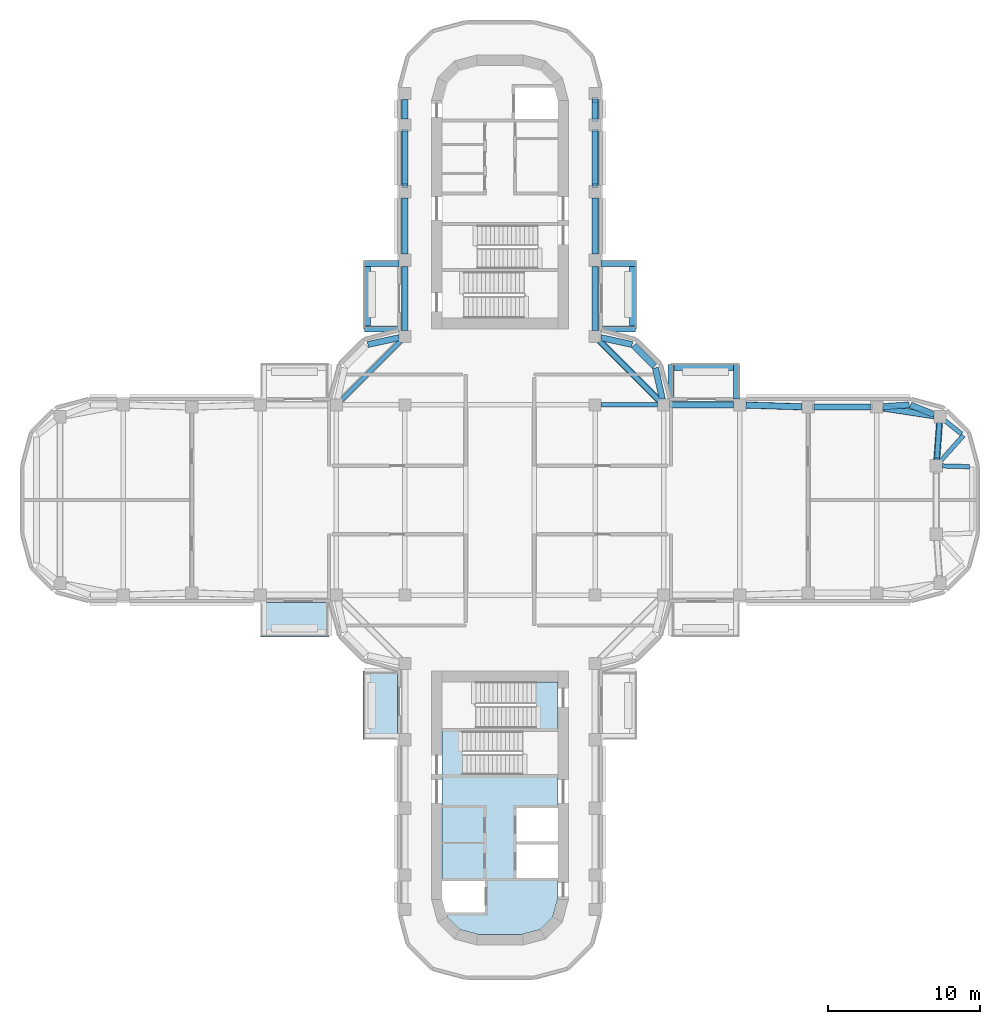
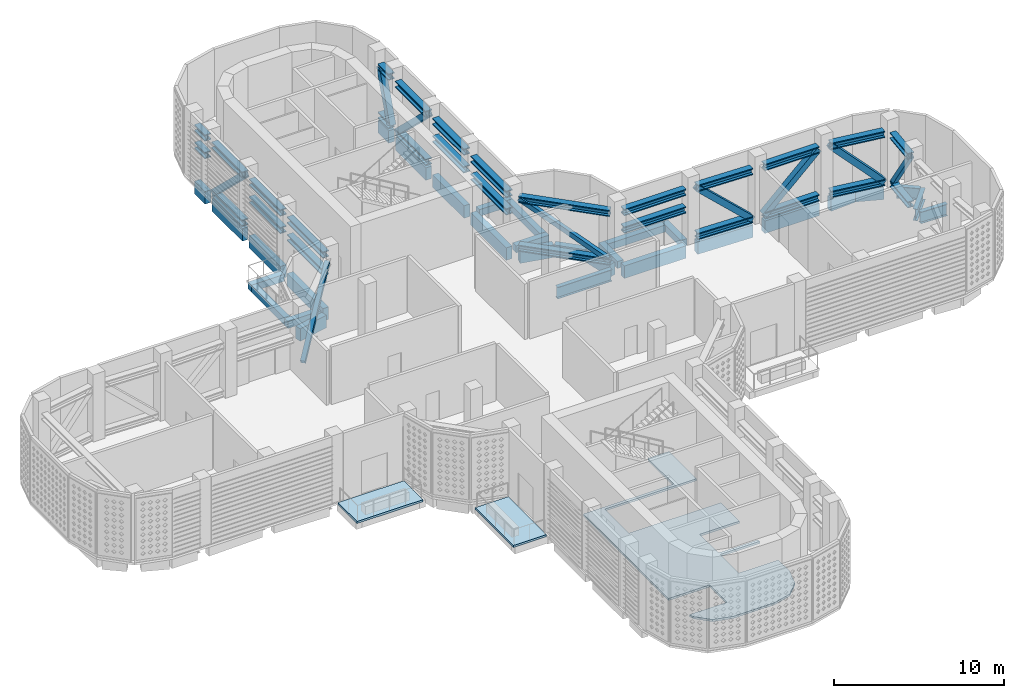
# One storey, part 3 of 21: 37 members, 30 beams, 3 slabs.
"""IFC4 building model written with IfcOpenShell, lengths in metres."""

from ifc_helpers import new_model, si_unit, direction, frame, origin, origin_2d, place, context, subcontext, project, spatial, polyline, rectangle, hollow_rectangle, i_section, outline, extrude, material, layer, layer_set, material_profile, profile_set, type_object, element, save


model = new_model("IFC4")

# Units and contexts
model_context = context("Model", 3, precision=1e-05, world=origin(), true_north=direction((0.0, 1.0)))
body_context = subcontext(model_context, "Body", "Model", "MODEL_VIEW")
ifc_project = project(units=[si_unit("LENGTHUNIT", "METRE"), si_unit("AREAUNIT", "SQUARE_METRE"), si_unit("VOLUMEUNIT", "CUBIC_METRE"), si_unit("PLANEANGLEUNIT", "RADIAN"), si_unit("MASSUNIT", "GRAM", prefix="KILO")], contexts=[model_context])

# Site, building, storey
site_placement = place(None, origin())
site = spatial("IfcSite", under=ifc_project, at=site_placement, CompositionType="ELEMENT")
building_placement = place(site_placement, origin())
building = spatial("IfcBuilding", under=site, at=building_placement, Name="Zarbagh Exchange Tower", CompositionType="ELEMENT")
storey_placement = place(building_placement, frame((0.0, 0.0, 190.39990234375)))
storey = spatial("IfcBuildingStorey", under=building, at=storey_placement, Name="L46", CompositionType="ELEMENT", Elevation=190.39990234375)

# Members
ifc_material_1 = material(Name="Steel ASTM A992 Gr 50", Category="steel")
ifc_material_profile_1 = material_profile(ifc_material_1, i_section(OverallWidth=0.41650390625, OverallDepth=0.444580078125, WebThickness=0.0390625, FlangeThickness=0.062744140625, at=origin_2d()), Name="W14X342")
ifc_profile_set_1 = profile_set([ifc_material_profile_1], Name="Steel ASTM A992 Gr 50")
member_type_1 = type_object("IfcMemberType", Name="Belt truss chord W14X342", PredefinedType="CHORD", material=ifc_profile_set_1)
for number, where, z_axis, x_axis, name in (
    (1, (6.53271484375, 10.46728515625, 0.222412109375), (0.707106781187, -0.707106781187, 0.0), (0.707106781187, 0.707106781187, 0.0), "Belt truss chord"),
    (2, (6.53271484375, 10.46728515625, 3.7080078125), (0.707106781187, -0.707106781187, 0.0), (0.707106781187, 0.707106781187, 0.0), "Belt truss chord"),
):
    element("IfcMember", number, at=place(storey_placement, frame(where, z_axis=z_axis, x_axis=x_axis)), inside=storey, type_object=member_type_1, Name=name, PredefinedType="CHORD", context=body_context, shape_type="SweptSolid", body=[
        extrude(i_section(OverallWidth=0.41650390625, OverallDepth=0.444580078125, WebThickness=0.0390625, FlangeThickness=0.062744140625, at=origin_2d()), origin(), (0.0, 0.0, 1.0), 5.564208984375),
    ])
for number, where, z_axis, x_axis, name in (
    (3, (28.878662109375, 5.076171875, 0.222412109375), (-0.073627818238, -0.997285788719, 0.0), (0.997285788719, -0.073627818238, 0.0), "Belt truss chord"),
    (4, (28.878662109375, 5.076171875, 3.7080078125), (-0.073627818238, -0.997285788719, 0.0), (0.997285788719, -0.073627818238, 0.0), "Belt truss chord"),
):
    element("IfcMember", number, at=place(storey_placement, frame(where, z_axis=z_axis, x_axis=x_axis)), inside=storey, type_object=member_type_1, Name=name, PredefinedType="CHORD", context=body_context, shape_type="SweptSolid", body=[
        extrude(i_section(OverallWidth=0.41650390625, OverallDepth=0.444580078125, WebThickness=0.0390625, FlangeThickness=0.062744140625, at=origin_2d()), origin(), (0.0, 0.0, 1.0), 2.433837890625),
    ])
ifc_material_2 = material(Name="Steel ASTM A500 Gr C", Category="steel")
ifc_material_profile_2 = material_profile(ifc_material_2, hollow_rectangle(XDim=0.3046875, YDim=0.3046875, WallThickness=0.014892578125, at=origin_2d()), Name="HSS12X12X5/8")
ifc_profile_set_2 = profile_set([ifc_material_profile_2], Name="Steel ASTM A500 Gr C")
member_type_2 = type_object("IfcMemberType", Name="Belt truss diagonal HSS12X12X5/8", PredefinedType="BRACE", material=ifc_profile_set_2)
for number, where, z_axis, x_axis, name in (
    (5, (-10.46728515625, 6.53271484375, 0.222412109375), (0.599242955727, 0.599242955727, 0.530863221576), (-0.707106781187, 0.707106781187, 0.0), "Belt truss diagonal"),
    (6, (10.46728515625, 6.53271484375, 0.222412109375), (-0.599242955727, 0.599242955727, 0.530863221576), (-0.707106781187, -0.707106781187, 0.0), "Belt truss diagonal"),
):
    element("IfcMember", number, at=place(storey_placement, frame(where, z_axis=z_axis, x_axis=x_axis)), inside=storey, type_object=member_type_2, Name=name, PredefinedType="BRACE", context=body_context, shape_type="SweptSolid", body=[
        extrude(hollow_rectangle(XDim=0.3046875, YDim=0.3046875, WallThickness=0.014892578125, at=origin_2d()), origin(), (0.0, 0.0, 1.0), 6.56591796875),
    ])
member_1_placement = place(storey_placement, frame((28.878662109375, 5.076171875, 0.222412109375), z_axis=(-0.042152256381, -0.57095058984, 0.819901586316), x_axis=(0.997285788719, -0.073627818238, 0.0)))
element("IfcMember", 7, at=member_1_placement, inside=storey, type_object=member_type_2, Name="Belt truss diagonal", PredefinedType="BRACE", context=body_context, shape_type="SweptSolid", body=[
    extrude(hollow_rectangle(XDim=0.3046875, YDim=0.3046875, WallThickness=0.014892578125, at=origin_2d()), origin(), (0.0, 0.0, 1.0), 4.251220703125),
])

# Beams
ifc_material_profile_3 = material_profile(ifc_material_1, i_section(OverallWidth=0.2919921875, OverallDepth=0.835693359375, WebThickness=0.013916015625, FlangeThickness=0.018798828125, at=origin_2d()), Name="W33X118")
ifc_profile_set_3 = profile_set([ifc_material_profile_3], Name="Steel ASTM A992 Gr 50")
beam_type_1 = type_object("IfcBeamType", Name="Floor girder W33X118", PredefinedType="BEAM", material=ifc_profile_set_3)
beam_1_placement = place(storey_placement, frame((29.22021484375, 5.22509765625, -0.567626953125), z_axis=(0.780533236132, -0.625114283387, 0.0), x_axis=(0.625114283387, 0.780533236132, 0.0)))
element("IfcBeam", 8, at=beam_1_placement, inside=storey, type_object=beam_type_1, Name="Steel girder", PredefinedType="BEAM", context=body_context, shape_type="SweptSolid", body=[
    extrude(i_section(OverallWidth=0.2919921875, OverallDepth=0.835693359375, WebThickness=0.013916015625, FlangeThickness=0.018798828125, at=origin_2d()), origin(), (0.0, 0.0, 1.0), 1.420166015625),
])
beam_2_placement = place(storey_placement, frame((30.44873046875, 4.2412109375, -0.567626953125), z_axis=(-0.666191013206, -0.745781156857, 0.0), x_axis=(0.745781156857, -0.666191013206, 0.0)))
element("IfcBeam", 9, at=beam_2_placement, inside=storey, type_object=beam_type_1, Name="Steel girder", PredefinedType="BEAM", context=body_context, shape_type="SweptSolid", body=[
    extrude(i_section(OverallWidth=0.2919921875, OverallDepth=0.835693359375, WebThickness=0.013916015625, FlangeThickness=0.018798828125, at=origin_2d()), origin(), (0.0, 0.0, 1.0), 2.27001953125),
])
beam_3_placement = place(storey_placement, frame((29.06982421875, 2.23876953125, -0.567626953125), z_axis=(0.999600942558, -0.028248108547, 0.0), x_axis=(0.028248108547, 0.999600942558, 0.0)))
element("IfcBeam", 10, at=beam_3_placement, inside=storey, type_object=beam_type_1, Name="Steel girder", PredefinedType="BEAM", context=body_context, shape_type="SweptSolid", body=[
    extrude(i_section(OverallWidth=0.2919921875, OverallDepth=0.835693359375, WebThickness=0.013916015625, FlangeThickness=0.018798828125, at=origin_2d()), origin(), (0.0, 0.0, 1.0), 1.7890625),
])
beam_4_placement = place(storey_placement, frame((6.64990234375, 6.25, -0.567626953125), z_axis=(1.0, 0.0, 0.0), x_axis=(0.0, 1.0, 0.0)))
element("IfcBeam", 11, at=beam_4_placement, inside=storey, type_object=beam_type_1, Name="Steel girder", PredefinedType="BEAM", context=body_context, shape_type="SweptSolid", body=[
    extrude(i_section(OverallWidth=0.2919921875, OverallDepth=0.835693359375, WebThickness=0.013916015625, FlangeThickness=0.018798828125, at=origin_2d()), origin(), (0.0, 0.0, 1.0), 3.7001953125),
])

# Members
ifc_material_profile_4 = material_profile(ifc_material_1, i_section(OverallWidth=0.421630859375, OverallDepth=0.46484375, WebThickness=0.044921875, FlangeThickness=0.072509765625, at=origin_2d()), Name="W14X398")
ifc_profile_set_4 = profile_set([ifc_material_profile_4], Name="Steel ASTM A992 Gr 50")
member_type_3 = type_object("IfcMemberType", Name="Outrigger truss chord W14X398", PredefinedType="CHORD", material=ifc_profile_set_4)
for number, where, z_axis, x_axis, name in (
    (12, (-6.25, 11.14990234375, 2.4326171875), (0.0, 1.0, 0.0), (-1.0, 0.0, 0.0), "Outrigger truss chord"),
    (13, (-6.25, 11.14990234375, 3.69775390625), (0.0, 1.0, 0.0), (-1.0, 0.0, 0.0), "Outrigger truss chord"),
):
    element("IfcMember", number, at=place(storey_placement, frame(where, z_axis=z_axis, x_axis=x_axis)), inside=storey, type_object=member_type_3, Name=name, PredefinedType="CHORD", context=body_context, shape_type="SweptSolid", body=[
        extrude(i_section(OverallWidth=0.421630859375, OverallDepth=0.46484375, WebThickness=0.044921875, FlangeThickness=0.072509765625, at=origin_2d()), origin(), (0.0, 0.0, 1.0), 4.2001953125),
    ])
for number, where, z_axis, x_axis, name in (
    (14, (-6.25, 16.14990234375, 2.4326171875), (0.0, 1.0, 0.0), (-1.0, 0.0, 0.0), "Outrigger truss chord"),
    (15, (-6.25, 16.14990234375, 3.69775390625), (0.0, 1.0, 0.0), (-1.0, 0.0, 0.0), "Outrigger truss chord"),
):
    element("IfcMember", number, at=place(storey_placement, frame(where, z_axis=z_axis, x_axis=x_axis)), inside=storey, type_object=member_type_3, Name=name, PredefinedType="CHORD", context=body_context, shape_type="SweptSolid", body=[
        extrude(i_section(OverallWidth=0.421630859375, OverallDepth=0.46484375, WebThickness=0.044921875, FlangeThickness=0.072509765625, at=origin_2d()), origin(), (0.0, 0.0, 1.0), 3.7001953125),
    ])
for number, where, z_axis, x_axis, name in (
    (16, (-6.25, 20.64990234375, 0.232421875), (0.0, 1.0, 0.0), (-1.0, 0.0, 0.0), "Outrigger truss chord"),
    (17, (-6.25, 20.64990234375, 3.69775390625), (0.0, 1.0, 0.0), (-1.0, 0.0, 0.0), "Outrigger truss chord"),
):
    element("IfcMember", number, at=place(storey_placement, frame(where, z_axis=z_axis, x_axis=x_axis)), inside=storey, type_object=member_type_3, Name=name, PredefinedType="CHORD", context=body_context, shape_type="SweptSolid", body=[
        extrude(i_section(OverallWidth=0.421630859375, OverallDepth=0.46484375, WebThickness=0.044921875, FlangeThickness=0.072509765625, at=origin_2d()), origin(), (0.0, 0.0, 1.0), 3.60009765625),
    ])
for number, where, z_axis, x_axis, name in (
    (18, (-6.25, 25.050048828125, 2.4326171875), (0.0, 1.0, 0.0), (-1.0, 0.0, 0.0), "Outrigger truss chord"),
    (19, (-6.25, 25.050048828125, 3.69775390625), (0.0, 1.0, 0.0), (-1.0, 0.0, 0.0), "Outrigger truss chord"),
    (20, (6.25, 26.300048828125, 0.232421875), (0.0, -1.0, 0.0), (1.0, 0.0, 0.0), "Outrigger truss chord"),
    (21, (6.25, 26.300048828125, 3.69775390625), (0.0, -1.0, 0.0), (1.0, 0.0, 0.0), "Outrigger truss chord"),
):
    element("IfcMember", number, at=place(storey_placement, frame(where, z_axis=z_axis, x_axis=x_axis)), inside=storey, type_object=member_type_3, Name=name, PredefinedType="CHORD", context=body_context, shape_type="SweptSolid", body=[
        extrude(i_section(OverallWidth=0.421630859375, OverallDepth=0.46484375, WebThickness=0.044921875, FlangeThickness=0.072509765625, at=origin_2d()), origin(), (0.0, 0.0, 1.0), 1.25),
    ])
for number, where, z_axis, x_axis, name in (
    (22, (6.25, 24.25, 0.232421875), (0.0, -1.0, 0.0), (1.0, 0.0, 0.0), "Outrigger truss chord"),
    (23, (6.25, 24.25, 3.69775390625), (0.0, -1.0, 0.0), (1.0, 0.0, 0.0), "Outrigger truss chord"),
):
    element("IfcMember", number, at=place(storey_placement, frame(where, z_axis=z_axis, x_axis=x_axis)), inside=storey, type_object=member_type_3, Name=name, PredefinedType="CHORD", context=body_context, shape_type="SweptSolid", body=[
        extrude(i_section(OverallWidth=0.421630859375, OverallDepth=0.46484375, WebThickness=0.044921875, FlangeThickness=0.072509765625, at=origin_2d()), origin(), (0.0, 0.0, 1.0), 3.60009765625),
    ])
for number, where, z_axis, x_axis, name in (
    (24, (6.25, 19.85009765625, 2.4326171875), (0.0, -1.0, 0.0), (1.0, 0.0, 0.0), "Outrigger truss chord"),
    (25, (6.25, 19.85009765625, 3.69775390625), (0.0, -1.0, 0.0), (1.0, 0.0, 0.0), "Outrigger truss chord"),
):
    element("IfcMember", number, at=place(storey_placement, frame(where, z_axis=z_axis, x_axis=x_axis)), inside=storey, type_object=member_type_3, Name=name, PredefinedType="CHORD", context=body_context, shape_type="SweptSolid", body=[
        extrude(i_section(OverallWidth=0.421630859375, OverallDepth=0.46484375, WebThickness=0.044921875, FlangeThickness=0.072509765625, at=origin_2d()), origin(), (0.0, 0.0, 1.0), 3.7001953125),
    ])
for number, where, z_axis, x_axis, name in (
    (26, (6.25, 15.35009765625, 2.4326171875), (0.0, -1.0, 0.0), (1.0, 0.0, 0.0), "Outrigger truss chord"),
    (27, (6.25, 15.35009765625, 3.69775390625), (0.0, -1.0, 0.0), (1.0, 0.0, 0.0), "Outrigger truss chord"),
    (28, (11.14990234375, 6.25, 2.4326171875), (1.0, 0.0, 0.0), (0.0, 1.0, 0.0), "Outrigger truss chord"),
    (29, (11.14990234375, 6.25, 3.69775390625), (1.0, 0.0, 0.0), (0.0, 1.0, 0.0), "Outrigger truss chord"),
):
    element("IfcMember", number, at=place(storey_placement, frame(where, z_axis=z_axis, x_axis=x_axis)), inside=storey, type_object=member_type_3, Name=name, PredefinedType="CHORD", context=body_context, shape_type="SweptSolid", body=[
        extrude(i_section(OverallWidth=0.421630859375, OverallDepth=0.46484375, WebThickness=0.044921875, FlangeThickness=0.072509765625, at=origin_2d()), origin(), (0.0, 0.0, 1.0), 4.2001953125),
    ])
for number, where, z_axis, x_axis, name in (
    (30, (16.14990234375, 6.237548828125, 0.232421875), (0.999515416033, -0.031127690444, 0.0), (0.031127690444, 0.999515416033, 0.0), "Outrigger truss chord"),
    (31, (16.14990234375, 6.237548828125, 3.69775390625), (0.999515416033, -0.031127690444, 0.0), (0.031127690444, 0.999515416033, 0.0), "Outrigger truss chord"),
):
    element("IfcMember", number, at=place(storey_placement, frame(where, z_axis=z_axis, x_axis=x_axis)), inside=storey, type_object=member_type_3, Name=name, PredefinedType="CHORD", context=body_context, shape_type="SweptSolid", body=[
        extrude(i_section(OverallWidth=0.421630859375, OverallDepth=0.46484375, WebThickness=0.044921875, FlangeThickness=0.072509765625, at=origin_2d()), origin(), (0.0, 0.0, 1.0), 3.701904296875),
    ])
for number, where, z_axis, x_axis, name in (
    (32, (20.64990234375, 6.110107421875, 0.232421875), (1.0, 0.0, 0.0), (0.0, 1.0, 0.0), "Outrigger truss chord"),
    (33, (20.64990234375, 6.110107421875, 3.69775390625), (1.0, 0.0, 0.0), (0.0, 1.0, 0.0), "Outrigger truss chord"),
):
    element("IfcMember", number, at=place(storey_placement, frame(where, z_axis=z_axis, x_axis=x_axis)), inside=storey, type_object=member_type_3, Name=name, PredefinedType="CHORD", context=body_context, shape_type="SweptSolid", body=[
        extrude(i_section(OverallWidth=0.421630859375, OverallDepth=0.46484375, WebThickness=0.044921875, FlangeThickness=0.072509765625, at=origin_2d()), origin(), (0.0, 0.0, 1.0), 3.7001953125),
    ])
for number, where, z_axis, x_axis, name in (
    (34, (25.1455078125, 6.049560546875, 0.232421875), (0.988541769149, -0.150947575829, 0.0), (0.150947575829, 0.988541769149, 0.0), "Outrigger truss chord"),
    (35, (25.1455078125, 6.049560546875, 3.69775390625), (0.988541769149, -0.150947575829, 0.0), (0.150947575829, 0.988541769149, 0.0), "Outrigger truss chord"),
):
    element("IfcMember", number, at=place(storey_placement, frame(where, z_axis=z_axis, x_axis=x_axis)), inside=storey, type_object=member_type_3, Name=name, PredefinedType="CHORD", context=body_context, shape_type="SweptSolid", body=[
        extrude(i_section(OverallWidth=0.421630859375, OverallDepth=0.46484375, WebThickness=0.044921875, FlangeThickness=0.072509765625, at=origin_2d()), origin(), (0.0, 0.0, 1.0), 3.40625),
    ])
ifc_material_profile_5 = material_profile(ifc_material_2, hollow_rectangle(XDim=0.406494140625, YDim=0.406494140625, WallThickness=0.017578125, at=origin_2d()), Name="HSS16X16X3/4")
ifc_profile_set_5 = profile_set([ifc_material_profile_5], Name="Steel ASTM A500 Gr C")
member_type_4 = type_object("IfcMemberType", Name="Outrigger truss diagonal HSS16X16X3/4", PredefinedType="BRACE", material=ifc_profile_set_5)
member_2_placement = place(storey_placement, frame((-6.25, 24.25, 0.232421875), z_axis=(0.0, -0.720463051949, 0.693493324248), x_axis=(1.0, 0.0, 0.0)))
element("IfcMember", 36, at=member_2_placement, inside=storey, type_object=member_type_4, Name="Outrigger truss diagonal", PredefinedType="BRACE", context=body_context, shape_type="SweptSolid", body=[
    extrude(hollow_rectangle(XDim=0.406494140625, YDim=0.406494140625, WallThickness=0.017578125, at=origin_2d()), origin(), (0.0, 0.0, 1.0), 4.996826171875),
])
member_3_placement = place(storey_placement, frame((6.25, 25.050048828125, 0.232421875), z_axis=(0.0, 0.339315477806, 0.940672635151), x_axis=(-1.0, 0.0, 0.0)))
element("IfcMember", 37, at=member_3_placement, inside=storey, type_object=member_type_4, Name="Outrigger truss diagonal", PredefinedType="BRACE", context=body_context, shape_type="SweptSolid", body=[
    extrude(hollow_rectangle(XDim=0.406494140625, YDim=0.406494140625, WallThickness=0.017578125, at=origin_2d()), origin(), (0.0, 0.0, 1.0), 3.683837890625),
])
member_4_placement = place(storey_placement, frame((6.25, 24.25, 0.232421875), z_axis=(0.0, -0.720463051949, 0.693493324248), x_axis=(1.0, 0.0, 0.0)))
element("IfcMember", 38, at=member_4_placement, inside=storey, type_object=member_type_4, Name="Outrigger truss diagonal", PredefinedType="BRACE", context=body_context, shape_type="SweptSolid", body=[
    extrude(hollow_rectangle(XDim=0.406494140625, YDim=0.406494140625, WallThickness=0.017578125, at=origin_2d()), origin(), (0.0, 0.0, 1.0), 4.996826171875),
])
member_5_placement = place(storey_placement, frame((19.85009765625, 6.122314453125, 0.232421875), z_axis=(-0.72970304596, 0.022724982693, 0.683386449879), x_axis=(-0.031127690444, -0.999515416033, 0.0)))
element("IfcMember", 39, at=member_5_placement, inside=storey, type_object=member_type_4, Name="Outrigger truss diagonal", PredefinedType="BRACE", context=body_context, shape_type="SweptSolid", body=[
    extrude(hollow_rectangle(XDim=0.406494140625, YDim=0.406494140625, WallThickness=0.017578125, at=origin_2d()), origin(), (0.0, 0.0, 1.0), 5.07080078125),
])
member_6_placement = place(storey_placement, frame((20.64990234375, 6.110107421875, 0.232421875), z_axis=(0.729891537359, 0.0, 0.683562977122), x_axis=(0.0, 1.0, 0.0)))
element("IfcMember", 40, at=member_6_placement, inside=storey, type_object=member_type_4, Name="Outrigger truss diagonal", PredefinedType="BRACE", context=body_context, shape_type="SweptSolid", body=[
    extrude(hollow_rectangle(XDim=0.406494140625, YDim=0.406494140625, WallThickness=0.017578125, at=origin_2d()), origin(), (0.0, 0.0, 1.0), 5.069580078125),
])
member_7_placement = place(storey_placement, frame((28.5126953125, 5.535400390625, 0.232421875), z_axis=(-0.692965472325, 0.105813898254, 0.713163566864), x_axis=(-0.150947575829, -0.988541769149, 0.0)))
element("IfcMember", 41, at=member_7_placement, inside=storey, type_object=member_type_4, Name="Outrigger truss diagonal", PredefinedType="BRACE", context=body_context, shape_type="SweptSolid", body=[
    extrude(hollow_rectangle(XDim=0.406494140625, YDim=0.406494140625, WallThickness=0.017578125, at=origin_2d()), origin(), (0.0, 0.0, 1.0), 4.859130859375),
])

# Beams
ifc_material_3 = material(Name="Concrete C40/50", Category="concrete")
ifc_material_profile_6 = material_profile(ifc_material_3, rectangle(XDim=0.39990234375, YDim=0.5, at=origin_2d()), Name="RC bay edge beam 400 x 500 C40/50")
ifc_profile_set_6 = profile_set([ifc_material_profile_6], Name="Concrete C40/50")
beam_type_2 = type_object("IfcBeamType", Name="RC bay edge beam 400 x 500 C40/50", PredefinedType="BEAM", material=ifc_profile_set_6)
for number, where, z_axis, x_axis, name in (
    (42, (8.699951171875, 11.429931640625, -0.39990234375), (0.0, 1.0, 0.0), (-1.0, 0.0, 0.0), "RC bay edge beam"),
    (43, (11.429931640625, 8.699951171875, -0.39990234375), (1.0, 0.0, 0.0), (0.0, 1.0, 0.0), "RC bay edge beam"),
    (44, (-8.699951171875, 11.429931640625, -0.39990234375), (0.0, 1.0, 0.0), (-1.0, 0.0, 0.0), "RC bay edge beam"),
):
    element("IfcBeam", number, at=place(storey_placement, frame(where, z_axis=z_axis, x_axis=x_axis)), inside=storey, type_object=beam_type_2, Name=name, PredefinedType="BEAM", context=body_context, shape_type="SweptSolid", body=[
        extrude(rectangle(XDim=0.39990234375, YDim=0.5, at=origin_2d()), origin(), (0.0, 0.0, 1.0), 3.920166015625),
    ])
ifc_material_profile_7 = material_profile(ifc_material_3, rectangle(XDim=0.39990234375, YDim=0.5, at=origin_2d()), Name="RC cantilever beam 400 x 500 C40/50")
ifc_profile_set_7 = profile_set([ifc_material_profile_7], Name="Concrete C40/50")
beam_type_3 = type_object("IfcBeamType", Name="RC cantilever beam 400 x 500 C40/50", PredefinedType="BEAM", material=ifc_profile_set_7)
for number, where, z_axis, x_axis, name in (
    (45, (6.64990234375, 11.22998046875, -0.39990234375), (1.0, 0.0, 0.0), (0.0, 1.0, 0.0), "RC cantilever beam"),
    (46, (6.64990234375, 15.550048828125, -0.39990234375), (1.0, 0.0, 0.0), (0.0, 1.0, 0.0), "RC cantilever beam"),
    (47, (11.22998046875, 6.64990234375, -0.39990234375), (0.0, 1.0, 0.0), (-1.0, 0.0, 0.0), "RC cantilever beam"),
    (48, (15.550048828125, 6.64990234375, -0.39990234375), (0.0, 1.0, 0.0), (-1.0, 0.0, 0.0), "RC cantilever beam"),
    (49, (-6.64990234375, 11.22998046875, -0.39990234375), (-1.0, 0.0, 0.0), (0.0, -1.0, 0.0), "RC cantilever beam"),
    (50, (-6.64990234375, 15.550048828125, -0.39990234375), (-1.0, 0.0, 0.0), (0.0, -1.0, 0.0), "RC cantilever beam"),
):
    element("IfcBeam", number, at=place(storey_placement, frame(where, z_axis=z_axis, x_axis=x_axis)), inside=storey, type_object=beam_type_3, Name=name, PredefinedType="BEAM", context=body_context, shape_type="SweptSolid", body=[
        extrude(rectangle(XDim=0.39990234375, YDim=0.5, at=origin_2d()), origin(), (0.0, 0.0, 1.0), 2.25),
    ])
ifc_material_4 = material(Name="Concrete C50/60", Category="concrete")
ifc_material_profile_8 = material_profile(ifc_material_4, rectangle(XDim=0.39990234375, YDim=0.89990234375, at=origin_2d()), Name="RC spandrel beam 400 x 900 C50/60")
ifc_profile_set_8 = profile_set([ifc_material_profile_8], Name="Concrete C50/60")
beam_type_4 = type_object("IfcBeamType", Name="RC spandrel beam 400 x 900 C50/60", PredefinedType="SPANDREL", material=ifc_profile_set_8)
beam_5_placement = place(storey_placement, frame((-8.68408203125, 10.21142578125, -0.599853515625), z_axis=(0.976384278741, 0.216041061437, 0.0), x_axis=(-0.216041061437, 0.976384278741, 0.0)))
element("IfcBeam", 51, at=beam_5_placement, inside=storey, type_object=beam_type_4, Name="RC spandrel beam", PredefinedType="SPANDREL", context=body_context, shape_type="SweptSolid", body=[
    extrude(rectangle(XDim=0.39990234375, YDim=0.89990234375, at=origin_2d()), origin(), (0.0, 0.0, 1.0), 2.0927734375),
])
beam_6_placement = place(storey_placement, frame((-6.25, 11.14990234375, -0.599853515625), z_axis=(0.0, 1.0, 0.0), x_axis=(-1.0, 0.0, 0.0)))
element("IfcBeam", 52, at=beam_6_placement, inside=storey, type_object=beam_type_4, Name="RC spandrel beam", PredefinedType="SPANDREL", context=body_context, shape_type="SweptSolid", body=[
    extrude(rectangle(XDim=0.39990234375, YDim=0.89990234375, at=origin_2d()), origin(), (0.0, 0.0, 1.0), 4.2001953125),
])
beam_7_placement = place(storey_placement, frame((-6.25, 16.14990234375, -0.599853515625), z_axis=(0.0, 1.0, 0.0), x_axis=(-1.0, 0.0, 0.0)))
element("IfcBeam", 53, at=beam_7_placement, inside=storey, type_object=beam_type_4, Name="RC spandrel beam", PredefinedType="SPANDREL", context=body_context, shape_type="SweptSolid", body=[
    extrude(rectangle(XDim=0.39990234375, YDim=0.89990234375, at=origin_2d()), origin(), (0.0, 0.0, 1.0), 3.7001953125),
])
beam_8_placement = place(storey_placement, frame((-6.25, 20.64990234375, -0.599853515625), z_axis=(0.0, 1.0, 0.0), x_axis=(-1.0, 0.0, 0.0)))
element("IfcBeam", 54, at=beam_8_placement, inside=storey, type_object=beam_type_4, Name="RC spandrel beam", PredefinedType="SPANDREL", context=body_context, shape_type="SweptSolid", body=[
    extrude(rectangle(XDim=0.39990234375, YDim=0.89990234375, at=origin_2d()), origin(), (0.0, 0.0, 1.0), 3.60009765625),
])
for number, where, z_axis, x_axis, name in (
    (55, (-6.25, 25.050048828125, -0.599853515625), (0.0, 1.0, 0.0), (-1.0, 0.0, 0.0), "RC spandrel beam"),
    (56, (6.25, 26.300048828125, -0.599853515625), (0.0, -1.0, 0.0), (1.0, 0.0, 0.0), "RC spandrel beam"),
):
    element("IfcBeam", number, at=place(storey_placement, frame(where, z_axis=z_axis, x_axis=x_axis)), inside=storey, type_object=beam_type_4, Name=name, PredefinedType="SPANDREL", context=body_context, shape_type="SweptSolid", body=[
        extrude(rectangle(XDim=0.39990234375, YDim=0.89990234375, at=origin_2d()), origin(), (0.0, 0.0, 1.0), 1.25),
    ])
beam_9_placement = place(storey_placement, frame((6.25, 24.25, -0.599853515625), z_axis=(0.0, -1.0, 0.0), x_axis=(1.0, 0.0, 0.0)))
element("IfcBeam", 57, at=beam_9_placement, inside=storey, type_object=beam_type_4, Name="RC spandrel beam", PredefinedType="SPANDREL", context=body_context, shape_type="SweptSolid", body=[
    extrude(rectangle(XDim=0.39990234375, YDim=0.89990234375, at=origin_2d()), origin(), (0.0, 0.0, 1.0), 3.60009765625),
])
beam_10_placement = place(storey_placement, frame((6.25, 19.85009765625, -0.599853515625), z_axis=(0.0, -1.0, 0.0), x_axis=(1.0, 0.0, 0.0)))
element("IfcBeam", 58, at=beam_10_placement, inside=storey, type_object=beam_type_4, Name="RC spandrel beam", PredefinedType="SPANDREL", context=body_context, shape_type="SweptSolid", body=[
    extrude(rectangle(XDim=0.39990234375, YDim=0.89990234375, at=origin_2d()), origin(), (0.0, 0.0, 1.0), 3.7001953125),
])
beam_11_placement = place(storey_placement, frame((6.25, 15.35009765625, -0.599853515625), z_axis=(0.0, -1.0, 0.0), x_axis=(1.0, 0.0, 0.0)))
element("IfcBeam", 59, at=beam_11_placement, inside=storey, type_object=beam_type_4, Name="RC spandrel beam", PredefinedType="SPANDREL", context=body_context, shape_type="SweptSolid", body=[
    extrude(rectangle(XDim=0.39990234375, YDim=0.89990234375, at=origin_2d()), origin(), (0.0, 0.0, 1.0), 4.2001953125),
])
beam_12_placement = place(storey_placement, frame((6.640625, 10.66357421875, -0.599853515625), z_axis=(0.976384278741, -0.216041061437, 0.0), x_axis=(0.216041061437, 0.976384278741, 0.0)))
element("IfcBeam", 60, at=beam_12_placement, inside=storey, type_object=beam_type_4, Name="RC spandrel beam", PredefinedType="SPANDREL", context=body_context, shape_type="SweptSolid", body=[
    extrude(rectangle(XDim=0.39990234375, YDim=0.89990234375, at=origin_2d()), origin(), (0.0, 0.0, 1.0), 2.0927734375),
])
beam_13_placement = place(storey_placement, frame((8.782470703125, 10.15771484375, -0.599853515625), z_axis=(0.707106781187, -0.707106781187, 0.0), x_axis=(0.707106781187, 0.707106781187, 0.0)))
element("IfcBeam", 61, at=beam_13_placement, inside=storey, type_object=beam_type_4, Name="RC spandrel beam", PredefinedType="SPANDREL", context=body_context, shape_type="SweptSolid", body=[
    extrude(rectangle(XDim=0.39990234375, YDim=0.89990234375, at=origin_2d()), origin(), (0.0, 0.0, 1.0), 1.94482421875),
])
beam_14_placement = place(storey_placement, frame((10.21142578125, 8.68408203125, -0.599853515625), z_axis=(0.216041061437, -0.976384278741, 0.0), x_axis=(0.976384278741, 0.216041061437, 0.0)))
element("IfcBeam", 62, at=beam_14_placement, inside=storey, type_object=beam_type_4, Name="RC spandrel beam", PredefinedType="SPANDREL", context=body_context, shape_type="SweptSolid", body=[
    extrude(rectangle(XDim=0.39990234375, YDim=0.89990234375, at=origin_2d()), origin(), (0.0, 0.0, 1.0), 2.0927734375),
])
beam_15_placement = place(storey_placement, frame((11.14990234375, 6.25, -0.599853515625), z_axis=(1.0, 0.0, 0.0), x_axis=(0.0, 1.0, 0.0)))
element("IfcBeam", 63, at=beam_15_placement, inside=storey, type_object=beam_type_4, Name="RC spandrel beam", PredefinedType="SPANDREL", context=body_context, shape_type="SweptSolid", body=[
    extrude(rectangle(XDim=0.39990234375, YDim=0.89990234375, at=origin_2d()), origin(), (0.0, 0.0, 1.0), 4.2001953125),
])
beam_16_placement = place(storey_placement, frame((16.14990234375, 6.237548828125, -0.599853515625), z_axis=(0.999515416033, -0.031127690444, 0.0), x_axis=(0.031127690444, 0.999515416033, 0.0)))
element("IfcBeam", 64, at=beam_16_placement, inside=storey, type_object=beam_type_4, Name="RC spandrel beam", PredefinedType="SPANDREL", context=body_context, shape_type="SweptSolid", body=[
    extrude(rectangle(XDim=0.39990234375, YDim=0.89990234375, at=origin_2d()), origin(), (0.0, 0.0, 1.0), 3.701904296875),
])
beam_17_placement = place(storey_placement, frame((20.64990234375, 6.110107421875, -0.599853515625), z_axis=(1.0, 0.0, 0.0), x_axis=(0.0, 1.0, 0.0)))
element("IfcBeam", 65, at=beam_17_placement, inside=storey, type_object=beam_type_4, Name="RC spandrel beam", PredefinedType="SPANDREL", context=body_context, shape_type="SweptSolid", body=[
    extrude(rectangle(XDim=0.39990234375, YDim=0.89990234375, at=origin_2d()), origin(), (0.0, 0.0, 1.0), 3.7001953125),
])
beam_18_placement = place(storey_placement, frame((25.149169921875, 6.135498046875, -0.599853515625), z_axis=(0.997942679773, 0.064112462805, 0.0), x_axis=(-0.064112462805, 0.997942679773, 0.0)))
element("IfcBeam", 66, at=beam_18_placement, inside=storey, type_object=beam_type_4, Name="RC spandrel beam", PredefinedType="SPANDREL", context=body_context, shape_type="SweptSolid", body=[
    extrude(rectangle(XDim=0.39990234375, YDim=0.89990234375, at=origin_2d()), origin(), (0.0, 0.0, 1.0), 1.744140625),
])
beam_19_placement = place(storey_placement, frame((26.9755859375, 6.233642578125, -0.599853515625), z_axis=(0.930818758612, -0.36548110569, 0.0), x_axis=(0.36548110569, 0.930818758612, 0.0)))
element("IfcBeam", 67, at=beam_19_placement, inside=storey, type_object=beam_type_4, Name="RC spandrel beam", PredefinedType="SPANDREL", context=body_context, shape_type="SweptSolid", body=[
    extrude(rectangle(XDim=0.39990234375, YDim=0.89990234375, at=origin_2d()), origin(), (0.0, 0.0, 1.0), 1.676025390625),
])

# Slabs
ifc_layer_1 = layer(ifc_material_3, 0.14990234375)
ifc_layer_set_1 = layer_set([ifc_layer_1], Name="Core floor slab 150 C40/50")
slab_type_1 = type_object("IfcSlabType", Name="Core floor slab 150 C40/50", PredefinedType="FLOOR", material=ifc_layer_set_1)
slab_1_placement = place(storey_placement, frame((0.0, 0.0, -0.14990234375)))
element("IfcSlab", 68, at=slab_1_placement, inside=storey, type_object=slab_type_1, Name="S17 core S", PredefinedType="FLOOR", context=body_context, shape_type="SweptSolid", body=[
    extrude(outline(polyline([(-2.6376953125, -28.220458984375), (-3.470458984375, -27.3876953125), (-3.800048828125, -26.15771484375), (-3.800048828125, -26.15771484375), (-3.547607421875, -27.10009765625), (-1.0, -27.10009765625), (-1.0, -25.050048828125), (-3.800048828125, -25.050048828125), (-3.800048828125, -15.0), (2.35009765625, -15.0), (2.35009765625, -11.949951171875), (3.800048828125, -11.949951171875), (3.800048828125, -15.199951171875), (-2.449951171875, -15.199951171875), (-2.449951171875, -18.050048828125), (3.800048828125, -18.050048828125), (3.800048828125, -20.25), (1.10009765625, -20.25), (1.10009765625, -22.449951171875), (3.800048828125, -22.449951171875), (3.800048828125, -22.64990234375), (1.10009765625, -22.64990234375), (1.10009765625, -24.85009765625), (3.800048828125, -24.85009765625), (3.800048828125, -26.15771484375), (3.470458984375, -27.3876953125), (2.6376953125, -28.220458984375), (1.40771484375, -28.550048828125), (-1.40771484375, -28.550048828125), (-2.6376953125, -28.220458984375)])), origin(), (0.0, 0.0, 1.0), 0.14990234375),
])
ifc_layer_2 = layer(ifc_material_3, 0.14990234375)
ifc_layer_set_2 = layer_set([ifc_layer_2], Name="Winter garden terrace slab 150 C40/50")
slab_type_2 = type_object("IfcSlabType", Name="Winter garden terrace slab 150 C40/50", PredefinedType="USERDEFINED", material=ifc_layer_set_2)
slab_2_placement = place(storey_placement, frame((0.0, 0.0, -0.14990234375)))
element("IfcSlab", 69, at=slab_2_placement, inside=storey, type_object=slab_type_2, Name="S9 winter garden terrace slab", ObjectType="Winter garden slab", PredefinedType="USERDEFINED", context=body_context, shape_type="SweptSolid", body=[
    extrude(outline(polyline([(-6.75, -15.75), (-6.75, -11.25), (-9.0, -11.25), (-9.0, -15.75), (-6.75, -15.75)])), origin(), (0.0, 0.0, 1.0), 0.14990234375),
])
slab_3_placement = place(storey_placement, frame((0.0, 0.0, -0.14990234375)))
element("IfcSlab", 70, at=slab_3_placement, inside=storey, type_object=slab_type_2, Name="S9 winter garden terrace slab", ObjectType="Winter garden slab", PredefinedType="USERDEFINED", context=body_context, shape_type="SweptSolid", body=[
    extrude(outline(polyline([(-11.25, -9.0), (-11.25, -6.75), (-15.75, -6.75), (-15.75, -9.0), (-11.25, -9.0)])), origin(), (0.0, 0.0, 1.0), 0.14990234375),
])

save(model, "model.ifc")
